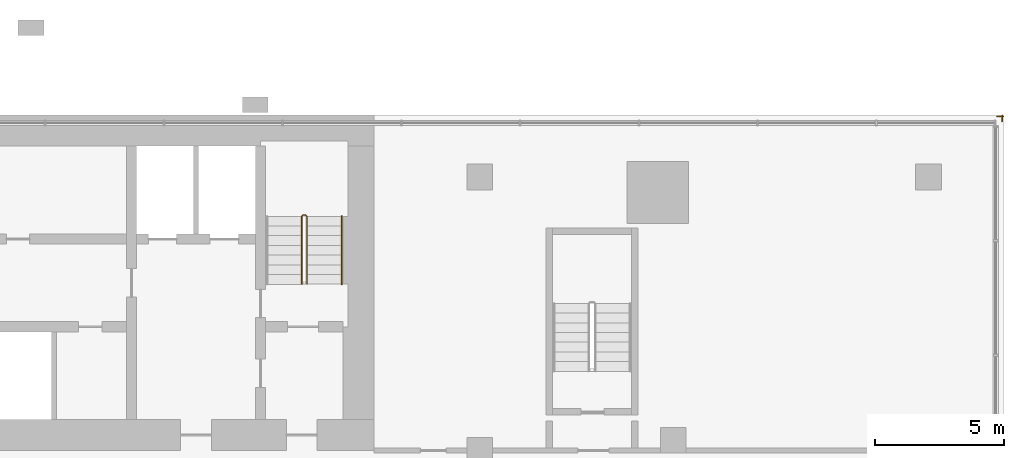
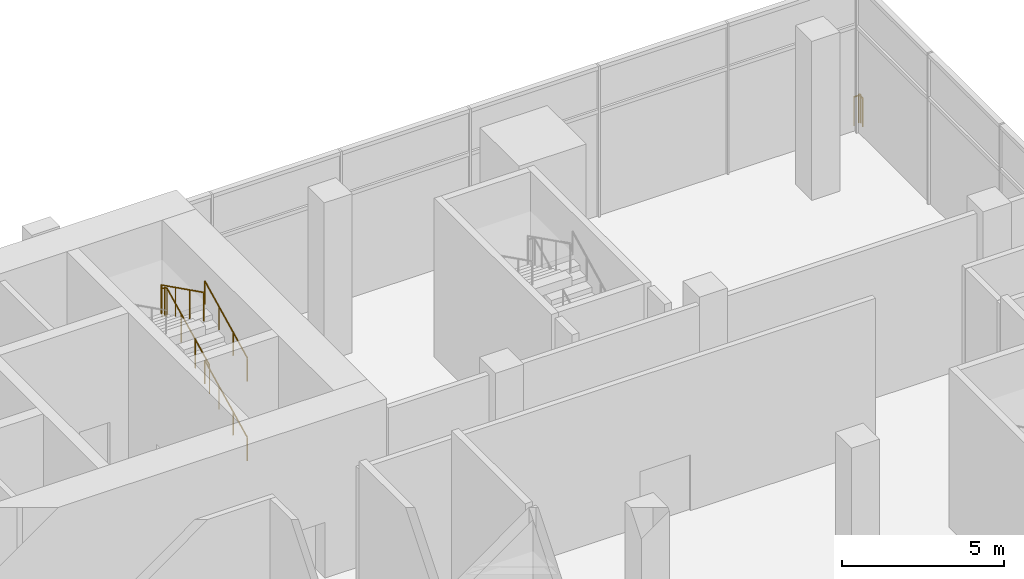
# One storey, part 22 of 22: 4 railings.
"""IFC4 building model written with IfcOpenShell, lengths in metres."""

import ifcopenshell
import ifcopenshell.guid

model = None  # the IFC model being written
_history = None  # IfcOwnerHistory: only IFC2X3 demands one
_inside = {}  # id of a spatial element -> (the spatial element, [elements in it])
_under = {}  # id of a project, library or spatial element -> (it, [spatial elements below it])
_declared = {}  # id of a project -> (the project, [libraries it declares])
_typed = {}  # id of a type object -> (the type object, [elements of that type])
_made_of = {}  # id of a material, layer set ... -> (it, [elements and type objects made of it])


def new_model(schema):
    """Start an empty IFC model of exactly this schema.

    Asked for "IFC4X3", IfcOpenShell would pick the latest addendum, in which some entities
    have other attributes; the version numbers below select the first issue.
    IFC2X3 requires an IfcOwnerHistory on every rooted entity: one is made here for all.
    """
    global model, _history
    if schema == "IFC4X3":
        model = ifcopenshell.file(schema_version=(4, 3, 0, 0))
    else:
        model = ifcopenshell.file(schema=schema)
    _inside.clear()
    _under.clear()
    _declared.clear()
    _typed.clear()
    _made_of.clear()
    _history = None
    if model.schema == "IFC2X3":
        org = make("IfcOrganization", Name="unknown")
        user = make(
            "IfcPersonAndOrganization",
            ThePerson=make("IfcPerson", FamilyName="unknown"),
            TheOrganization=org,
        )
        app = make(
            "IfcApplication",
            ApplicationDeveloper=org,
            Version="unknown",
            ApplicationFullName="unknown",
            ApplicationIdentifier="unknown",
        )
        _history = make(
            "IfcOwnerHistory",
            OwningUser=user,
            OwningApplication=app,
            ChangeAction="ADDED",
            CreationDate=0,
        )
    return model


def make(cls, **values):
    """One entity of the class cls with the attributes given. An attribute that is None is left unset."""
    return model.create_entity(
        cls, **{name: value for name, value in values.items() if value is not None}
    )


def rooted(cls, **values):
    """An entity with a GlobalId (a new one), such as an element, a storey or a relation."""
    return make(cls, GlobalId=ifcopenshell.guid.new(), OwnerHistory=_history, **values)


def si_unit(unit_type, name, prefix=None):
    """IfcSIUnit, for example si_unit("LENGTHUNIT", "METRE", prefix="MILLI")."""
    return make("IfcSIUnit", UnitType=unit_type, Prefix=prefix, Name=name)


def assignment(units):
    """IfcUnitAssignment: the units of a project."""
    return None if units is None else make("IfcUnitAssignment", Units=units)


def point(xyz):
    """IfcCartesianPoint."""
    return None if xyz is None else make("IfcCartesianPoint", Coordinates=xyz)


def direction(xyz):
    """IfcDirection."""
    return None if xyz is None else make("IfcDirection", DirectionRatios=xyz)


def frame(location, z_axis=None, x_axis=None):
    """IfcAxis2Placement3D, a coordinate frame: its origin and axes. An axis left out is left unset."""
    return make(
        "IfcAxis2Placement3D",
        Location=point(location),
        Axis=direction(z_axis),
        RefDirection=direction(x_axis),
    )


def frame_2d(location, x_axis=None):
    """IfcAxis2Placement2D, a coordinate frame in the plane: its origin and x axis."""
    return make(
        "IfcAxis2Placement2D", Location=point(location), RefDirection=direction(x_axis)
    )


def origin():
    """The frame at (0, 0, 0) with its axes left unset."""
    return frame((0.0, 0.0, 0.0))


def origin_2d():
    """The frame at (0, 0) in the plane with its x axis left unset."""
    return frame_2d((0.0, 0.0))


def place(relative_to, where):
    """IfcLocalPlacement: puts the frame where relative to a parent placement (None: the world)."""
    return make(
        "IfcLocalPlacement", PlacementRelTo=relative_to, RelativePlacement=where
    )


def context(
    kind, dimensions, precision=None, world=None, true_north=None, identifier=None
):
    """IfcGeometricRepresentationContext, for example the 3D "Model" context."""
    return make(
        "IfcGeometricRepresentationContext",
        ContextIdentifier=identifier,
        ContextType=kind,
        CoordinateSpaceDimension=dimensions,
        Precision=precision,
        WorldCoordinateSystem=world,
        TrueNorth=true_north,
    )


def subcontext(parent, identifier, kind, view, scale=None):
    """IfcGeometricRepresentationSubContext, for example "Body" below "Model"."""
    return make(
        "IfcGeometricRepresentationSubContext",
        ContextIdentifier=identifier,
        ContextType=kind,
        ParentContext=parent,
        TargetScale=scale,
        TargetView=view,
    )


def project(units=None, contexts=None):
    """IfcProject with its units and contexts."""
    return rooted(
        "IfcProject",
        Name="project",
        RepresentationContexts=contexts,
        UnitsInContext=assignment(units),
    )


def spatial(cls, under=None, at=None, **own):
    """A site, building, storey or space (cls), placed at a placement, below another one or the project."""
    s = rooted(cls, ObjectPlacement=at, **own)
    if under is not None:
        _under.setdefault(under.id(), (under, []))[1].append(s)
    return s


def profile(cls, at=None, kind="AREA", **sizes):
    """A parametric profile (cls). Its sizes go by their IFC names, for example OverallWidth=200.0."""
    return make(cls, ProfileType=kind, Position=at, **sizes)


def circle(**sizes):
    """IfcCircleProfileDef."""
    return profile("IfcCircleProfileDef", **sizes)


def extrude(swept, where, along, depth):
    """IfcExtrudedAreaSolid: the profile swept, set in the frame where, extruded along a direction by depth."""
    return make(
        "IfcExtrudedAreaSolid",
        SweptArea=swept,
        Position=where,
        ExtrudedDirection=direction(along),
        Depth=depth,
    )


def shape(context_of_items, identifier, shape_type, items):
    """IfcShapeRepresentation: the items that make up one representation, for example the "Body"."""
    return make(
        "IfcShapeRepresentation",
        ContextOfItems=context_of_items,
        RepresentationIdentifier=identifier,
        RepresentationType=shape_type,
        Items=items,
    )


def material(Name=None, Category=None):
    """IfcMaterial."""
    return make("IfcMaterial", Name=Name, Category=Category)


def made_of(thing, what):
    """Note that an element or type object is made of a material, layer set ...; save() writes the relation."""
    if what is not None:
        _made_of.setdefault(what.id(), (what, []))[1].append(thing)
    return thing


def type_object(cls, material=None, **own):
    """A type object (cls), such as IfcWallType, which elements share."""
    return made_of(rooted(cls, **own), material)


def element(
    cls,
    number,
    at=None,
    inside=None,
    cuts=None,
    type_object=None,
    material=None,
    context=None,
    identifier="Body",
    shape_type=None,
    held_by="IfcProductDefinitionShape",
    body=None,
    shapes=None,
    **own,
):
    """One element of the class cls, such as IfcWall. Its Tag is "e" and its number.

    at: its placement. inside: the storey or other place that contains it. cuts: it is an
    opening in that element (IfcRelVoidsElement). A single representation is given by context,
    identifier, shape_type and body (its items); several are given by shapes. held_by: the class
    of the entity that holds the representations. save() writes the other relations.
    """
    e = rooted(cls, Tag="e%d" % number, ObjectPlacement=at, **own)
    if body is not None:
        shapes = [shape(context, identifier, shape_type, body)]
    if shapes is not None:
        e.Representation = make(held_by, Representations=shapes)
    if inside is not None:
        _inside.setdefault(inside.id(), (inside, []))[1].append(e)
    if cuts is not None:
        rooted(
            "IfcRelVoidsElement", RelatingBuildingElement=cuts, RelatedOpeningElement=e
        )
    if type_object is not None:
        _typed.setdefault(type_object.id(), (type_object, []))[1].append(e)
    return made_of(e, material)


def aggregate(whole, parts):
    """IfcRelAggregates: a whole, such as a stair, and the parts it consists of."""
    return rooted("IfcRelAggregates", RelatingObject=whole, RelatedObjects=parts)


def save(model, path):
    """Write the relations noted so far, then the file.

    IfcRelAggregates (storeys below a building ...), IfcRelContainedInSpatialStructure (elements
    in a storey), IfcRelDefinesByType, IfcRelAssociatesMaterial and IfcRelDeclares: one each for
    every whole, place, type object, material and project.
    """
    for whole, parts in _under.values():
        aggregate(whole, parts)
    for where, things in _inside.values():
        rooted(
            "IfcRelContainedInSpatialStructure",
            RelatedElements=things,
            RelatingStructure=where,
        )
    for kind, things in _typed.values():
        rooted("IfcRelDefinesByType", RelatedObjects=things, RelatingType=kind)
    for what, things in _made_of.values():
        rooted("IfcRelAssociatesMaterial", RelatedObjects=things, RelatingMaterial=what)
    for by, libraries in _declared.values():
        rooted("IfcRelDeclares", RelatingContext=by, RelatedDefinitions=libraries)
    model.write(path)


model = new_model("IFC4")

# Units and contexts
model_context = context("Model", 3, precision=1e-05, world=origin(), true_north=direction((0.0, 1.0)))
body_context = subcontext(model_context, "Body", "Model", "MODEL_VIEW")
ifc_project = project(units=[si_unit("LENGTHUNIT", "METRE"), si_unit("AREAUNIT", "SQUARE_METRE"), si_unit("VOLUMEUNIT", "CUBIC_METRE"), si_unit("PLANEANGLEUNIT", "RADIAN"), si_unit("MASSUNIT", "GRAM", prefix="KILO")], contexts=[model_context])

# Site, building, storey
site_placement = place(None, origin())
site = spatial("IfcSite", under=ifc_project, at=site_placement, CompositionType="ELEMENT")
building_placement = place(site_placement, origin())
building = spatial("IfcBuilding", under=site, at=building_placement, Name="Bicima Exchange Tower", CompositionType="ELEMENT")
storey_placement = place(building_placement, frame((0.0, 0.0, 14.0)))
storey = spatial("IfcBuildingStorey", under=building, at=storey_placement, Name="L02", CompositionType="ELEMENT", Elevation=14.0)

# Railings
ifc_material_1 = material(Name="Stainless steel and bonded safety glass", Category="steel")
railing_type_1 = type_object("IfcRailingType", Name="Edge guard 1100", PredefinedType="GUARDRAIL", material=ifc_material_1)
railing_1_placement = place(storey_placement, frame((46.15087890625, -0.050048828125, 0.0)))
element("IfcRailing", 1, at=railing_1_placement, inside=storey, type_object=railing_type_1, Name="Edge guard L02 6", PredefinedType="GUARDRAIL", context=body_context, shape_type="SweptSolid", body=[
    extrude(circle(Radius=0.02392578125, at=origin_2d()), frame((0.0, 0.0, 1.076171875), z_axis=(1.0, 0.0, 0.0), x_axis=(0.0, 1.0, 0.0)), (0.0, 0.0, 1.0), 0.2490234375),
    extrude(circle(Radius=0.02392578125, at=origin_2d()), frame((0.2490234375, 0.0, 1.076171875), z_axis=(-0.705375805398, 0.708833529934, 0.0), x_axis=(-0.708833529934, -0.705375805398, 0.0)), (0.0, 0.0, 1.0), 0.070556640625),
    extrude(circle(Radius=0.02392578125, at=origin_2d()), frame((0.19921875, 0.050048828125, 1.076171875), z_axis=(0.0, -1.0, 0.0), x_axis=(1.0, 0.0, 0.0)), (0.0, 0.0, 1.0), 0.25),
    extrude(circle(Radius=0.02099609375, at=origin_2d()), origin(), (0.0, 0.0, 1.0), 1.052001953125),
    extrude(circle(Radius=0.02099609375, at=origin_2d()), frame((0.2490234375, 0.0, 0.0)), (0.0, 0.0, 1.0), 1.052001953125),
    extrude(circle(Radius=0.02099609375, at=origin_2d()), frame((0.19921875, 0.050048828125, 0.0)), (0.0, 0.0, 1.0), 1.052001953125),
    extrude(circle(Radius=0.02099609375, at=origin_2d()), frame((0.19921875, -0.199951171875, 0.0)), (0.0, 0.0, 1.0), 1.052001953125),
])
ifc_material_2 = material(Name="Stainless steel", Category="steel")
railing_type_2 = type_object("IfcRailingType", Name="Stair guard 1100", PredefinedType="GUARDRAIL", material=ifc_material_2)
railing_2_placement = place(storey_placement, frame((19.39990234375, -6.550048828125, 3.1875)))
element("IfcRailing", 2, at=railing_2_placement, inside=storey, type_object=railing_type_2, Name="L02 ST-E stair guard 2", PredefinedType="GUARDRAIL", context=body_context, shape_type="SweptSolid", body=[
    extrude(circle(Radius=0.02392578125, at=origin_2d()), frame((0.0, 0.0, 1.076171875), z_axis=(0.0, 0.894775759346, 0.446515778543), x_axis=(-1.0, 0.0, 0.0)), (0.0, 0.0, 1.0), 2.939453125),
    extrude(circle(Radius=0.02392578125, at=origin_2d()), frame((0.0, 2.630126953125, 2.388671875), z_axis=(-0.707106781187, 0.707106781187, 0.0), x_axis=(-0.707106781187, -0.707106781187, 0.0)), (0.0, 0.0, 1.0), 0.0703125),
    extrude(circle(Radius=0.02392578125, at=origin_2d()), frame((-0.0498046875, 2.679931640625, 2.388671875), z_axis=(-1.0, 0.0, 0.0), x_axis=(0.0, -1.0, 0.0)), (0.0, 0.0, 1.0), 0.10009765625),
    extrude(circle(Radius=0.02392578125, at=origin_2d()), frame((-0.14990234375, 2.679931640625, 2.388671875), z_axis=(-0.249802250048, -0.248583702486, 0.935844527007), x_axis=(0.705375805398, -0.708833529934, 0.0)), (0.0, 0.0, 1.0), 0.200439453125),
    extrude(circle(Radius=0.02392578125, at=origin_2d()), frame((-0.199951171875, 2.630126953125, 2.576171875), z_axis=(0.0, -0.894775759346, 0.446515778543), x_axis=(1.0, 0.0, 0.0)), (0.0, 0.0, 1.0), 2.939453125),
    extrude(circle(Radius=0.02099609375, at=origin_2d()), origin(), (0.0, 0.0, 1.0), 1.052001953125),
    extrude(circle(Radius=0.02099609375, at=origin_2d()), frame((0.0, 0.876708984375, 0.4375)), (0.0, 0.0, 1.0), 1.052001953125),
    extrude(circle(Radius=0.02099609375, at=origin_2d()), frame((0.0, 1.75341796875, 0.875)), (0.0, 0.0, 1.0), 1.052001953125),
    extrude(circle(Radius=0.02099609375, at=origin_2d()), frame((0.0, 2.630126953125, 1.3125)), (0.0, 0.0, 1.0), 1.052001953125),
    extrude(circle(Radius=0.02099609375, at=origin_2d()), frame((-0.0498046875, 2.679931640625, 1.3125)), (0.0, 0.0, 1.0), 1.052001953125),
    extrude(circle(Radius=0.02099609375, at=origin_2d()), frame((-0.14990234375, 2.679931640625, 1.3125)), (0.0, 0.0, 1.0), 1.052001953125),
    extrude(circle(Radius=0.02099609375, at=origin_2d()), frame((-0.199951171875, 2.630126953125, 1.5)), (0.0, 0.0, 1.0), 1.052001953125),
    extrude(circle(Radius=0.02099609375, at=origin_2d()), frame((-0.199951171875, 1.75341796875, 1.9375)), (0.0, 0.0, 1.0), 1.052001953125),
    extrude(circle(Radius=0.02099609375, at=origin_2d()), frame((-0.199951171875, 0.876708984375, 2.375)), (0.0, 0.0, 1.0), 1.052001953125),
    extrude(circle(Radius=0.02099609375, at=origin_2d()), frame((-0.199951171875, 0.0, 2.8125)), (0.0, 0.0, 1.0), 1.052001953125),
])
railing_type_3 = type_object("IfcRailingType", Name="Stair handrail 900", PredefinedType="HANDRAIL", material=ifc_material_2)
for number, where, name in (
    (3, (20.75, -6.550048828125, 0.1875), "L02 ST-E stair handrail 1"),
    (4, (20.75, -6.550048828125, 3.1875), "L02 ST-E stair handrail 3"),
):
    element("IfcRailing", number, at=place(storey_placement, frame(where)), inside=storey, type_object=railing_type_3, Name=name, PredefinedType="HANDRAIL", context=body_context, shape_type="SweptSolid", body=[
        extrude(circle(Radius=0.02392578125, at=origin_2d()), frame((0.0, 0.0, 0.8759765625), z_axis=(0.0, 0.894775759346, 0.446515778543), x_axis=(-1.0, 0.0, 0.0)), (0.0, 0.0, 1.0), 2.939453125),
        extrude(circle(Radius=0.02099609375, at=origin_2d()), origin(), (0.0, 0.0, 1.0), 0.851806640625),
        extrude(circle(Radius=0.02099609375, at=origin_2d()), frame((0.0, 0.876708984375, 0.4375)), (0.0, 0.0, 1.0), 0.851806640625),
        extrude(circle(Radius=0.02099609375, at=origin_2d()), frame((0.0, 1.75341796875, 0.875)), (0.0, 0.0, 1.0), 0.851806640625),
        extrude(circle(Radius=0.02099609375, at=origin_2d()), frame((0.0, 2.630126953125, 1.3125)), (0.0, 0.0, 1.0), 0.851806640625),
    ])

save(model, "model.ifc")
